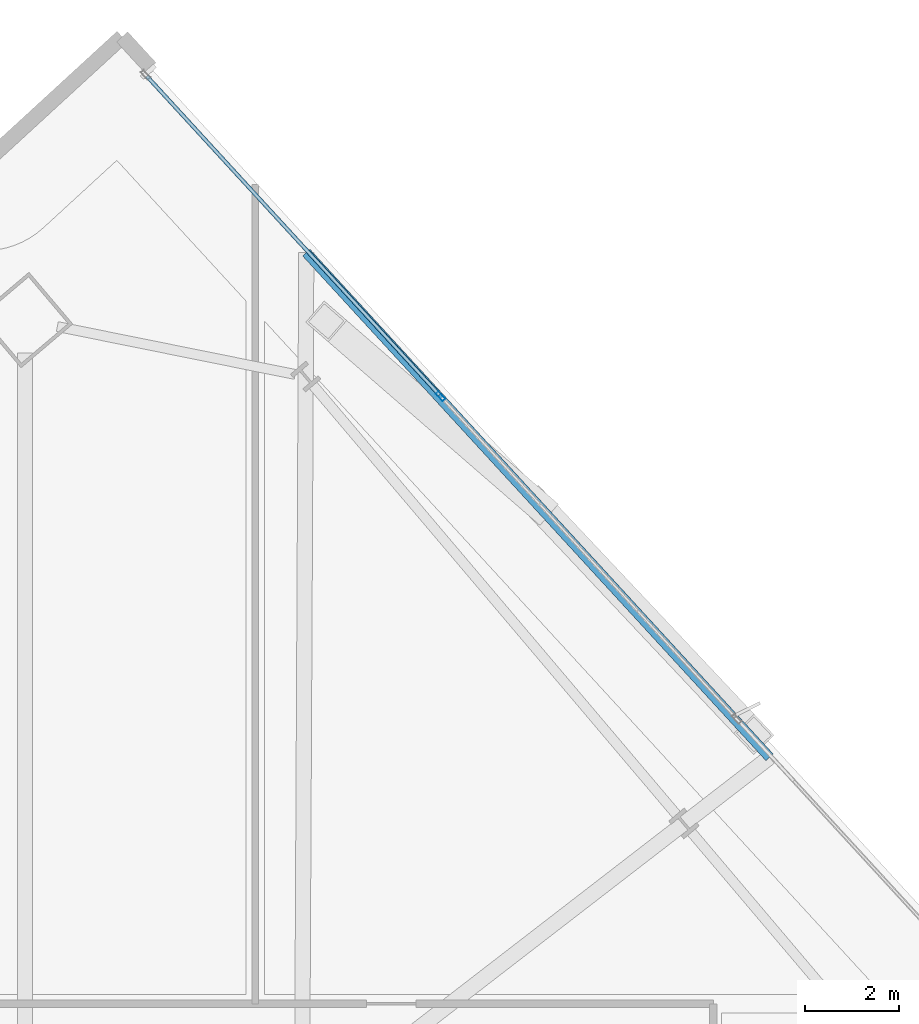
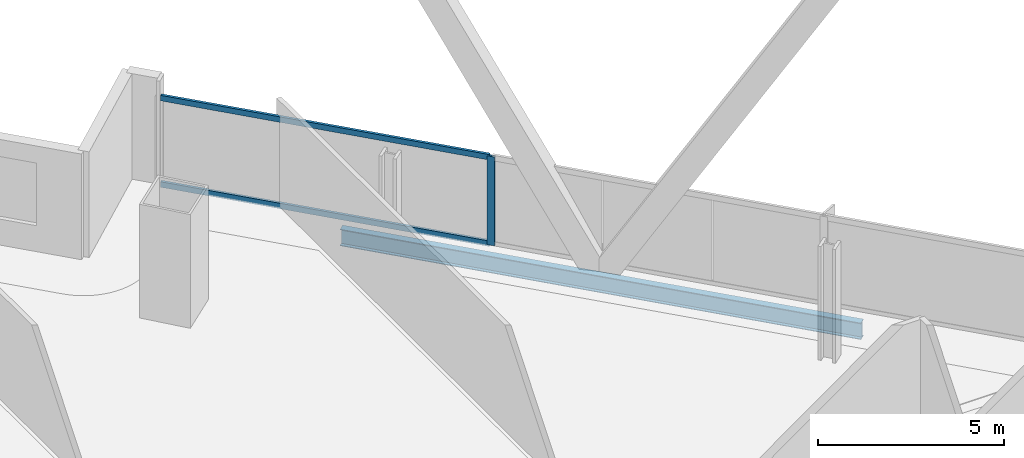
# One storey, part 22 of 32: 3 members, 1 beam, 1 element without a shape of its own.
"""IFC4 building model written with IfcOpenShell, lengths in metres."""

from ifc_helpers import new_model, si_unit, direction, frame, origin, origin_2d, place, context, subcontext, project, spatial, hollow_rectangle, i_section, extrude, material, material_profile, profile_set, type_object, element, aggregate, save


model = new_model("IFC4")

# Units and contexts
model_context = context("Model", 3, precision=1e-05, world=origin(), true_north=direction((0.0, 1.0)))
body_context = subcontext(model_context, "Body", "Model", "MODEL_VIEW")
ifc_project = project(units=[si_unit("LENGTHUNIT", "METRE"), si_unit("AREAUNIT", "SQUARE_METRE"), si_unit("VOLUMEUNIT", "CUBIC_METRE"), si_unit("PLANEANGLEUNIT", "RADIAN"), si_unit("MASSUNIT", "GRAM", prefix="KILO")], contexts=[model_context])

# Site, building, storey
site_placement = place(None, origin())
site = spatial("IfcSite", under=ifc_project, at=site_placement, CompositionType="ELEMENT")
building_placement = place(site_placement, origin())
building = spatial("IfcBuilding", under=site, at=building_placement, Name="Haldenkirk Collegiate Tower", CompositionType="ELEMENT")
storey_placement = place(building_placement, frame((0.0, 0.0, 170.699951171875)))
storey = spatial("IfcBuildingStorey", under=building, at=storey_placement, Name="L42", CompositionType="ELEMENT", Elevation=170.699951171875)

# Beam
ifc_material_1 = material(Name="Steel ASTM A992 Grade 50", Category="steel")
ifc_material_profile_1 = material_profile(ifc_material_1, i_section(OverallWidth=0.2119140625, OverallDepth=0.5439453125, WebThickness=0.01318359375, FlangeThickness=0.021240234375, at=origin_2d()), Name="W21X83")
ifc_profile_set_1 = profile_set([ifc_material_profile_1], Name="Steel ASTM A992 Grade 50")
beam_type = type_object("IfcBeamType", Name="BM-SPANDREL-W21X83", PredefinedType="SPANDREL", material=ifc_profile_set_1)
beam_placement = place(storey_placement, frame((55.002685546875, 41.720947265625, -0.56201171875), z_axis=(-0.676238240447, 0.736682999775, 0.0), x_axis=(-0.736682999775, -0.676238240447, 0.0)))
element("IfcBeam", 1, at=beam_placement, inside=storey, type_object=beam_type, Name="L42 outer facade edge beam 2", PredefinedType="SPANDREL", context=body_context, shape_type="SweptSolid", body=[
    extrude(i_section(OverallWidth=0.2119140625, OverallDepth=0.5439453125, WebThickness=0.01318359375, FlangeThickness=0.021240234375, at=origin_2d()), origin(), (0.0, 0.0, 1.0), 14.65380859375),
])

# Curtain wall, members
ifc_material_2 = material(Name="Anodised architectural bronze aluminium", Category="aluminium")
curtain_wall_type = type_object("IfcCurtainWallType", Name="CW-SYS1-CONVEX-LOW", PredefinedType="USERDEFINED", material=ifc_material_2)
curtain_wall_placement = place(storey_placement, origin())
curtain_wall = element("IfcCurtainWall", 2, at=curtain_wall_placement, inside=storey, type_object=curtain_wall_type, Name="L42 Lower tower convex bronze-framed unitised curtain wall", ObjectType="UNITISED CURTAIN WALL", PredefinedType="USERDEFINED")
ifc_material_profile_2 = material_profile(ifc_material_2, hollow_rectangle(XDim=0.080078125, YDim=0.219970703125, WallThickness=0.0048828125, at=origin_2d()), Name="CW-MUL-1A")
ifc_profile_set_2 = profile_set([ifc_material_profile_2], Name="Anodised architectural bronze aluminium")
member_type_1 = type_object("IfcMemberType", Name="CW-MUL-1A", PredefinedType="MULLION", material=ifc_profile_set_2)
member_1_placement = place(storey_placement, frame((47.96533203125, 49.446533203125, 0.0), z_axis=(0.0, 0.0, 1.0), x_axis=(0.736687198604, 0.676233666282, 0.0)))
member_1 = element("IfcMember", 3, at=member_1_placement, type_object=member_type_1, Name="CW-1A mullion 2", PredefinedType="MULLION", context=body_context, shape_type="SweptSolid", body=[
    extrude(hollow_rectangle(XDim=0.080078125, YDim=0.219970703125, WallThickness=0.0048828125, at=origin_2d()), origin(), (0.0, 0.0, 1.0), 2.9111328125),
])
ifc_material_profile_3 = material_profile(ifc_material_2, hollow_rectangle(XDim=0.080078125, YDim=0.179931640625, WallThickness=0.0048828125, at=origin_2d()), Name="CW-TRN-1A")
ifc_profile_set_3 = profile_set([ifc_material_profile_3], Name="Anodised architectural bronze aluminium")
member_type_2 = type_object("IfcMemberType", Name="CW-TRN-1A", PredefinedType="USERDEFINED", material=ifc_profile_set_3)
member_2_placement = place(storey_placement, frame((41.68408203125, 56.289306640625, 0.0400390625), z_axis=(0.676221741686, -0.736698144474, 0.0), x_axis=(0.736698144474, 0.676221741686, 0.0)))
member_2 = element("IfcMember", 4, at=member_2_placement, type_object=member_type_2, Name="CW-1A transom 1.1", ObjectType="TRANSOM", PredefinedType="USERDEFINED", context=body_context, shape_type="SweptSolid", body=[
    extrude(hollow_rectangle(XDim=0.080078125, YDim=0.179931640625, WallThickness=0.0048828125, at=origin_2d()), origin(), (0.0, 0.0, 1.0), 9.248779296875),
])
member_3_placement = place(storey_placement, frame((41.68408203125, 56.289306640625, 2.87109375), z_axis=(0.676221741686, -0.736698144474, 0.0), x_axis=(0.736698144474, 0.676221741686, 0.0)))
member_3 = element("IfcMember", 5, at=member_3_placement, type_object=member_type_2, Name="CW-1A transom 1.2", ObjectType="TRANSOM", PredefinedType="USERDEFINED", context=body_context, shape_type="SweptSolid", body=[
    extrude(hollow_rectangle(XDim=0.080078125, YDim=0.179931640625, WallThickness=0.0048828125, at=origin_2d()), origin(), (0.0, 0.0, 1.0), 9.248779296875),
])
aggregate(curtain_wall, [member_1, member_2, member_3])

save(model, "model.ifc")
